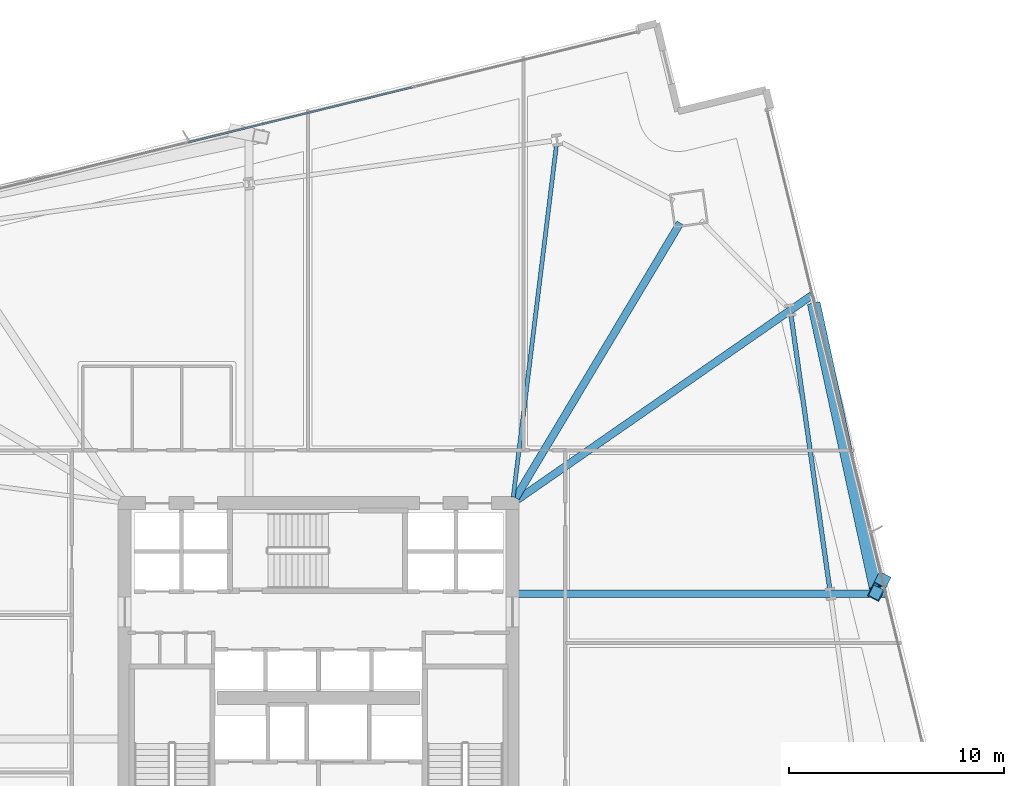
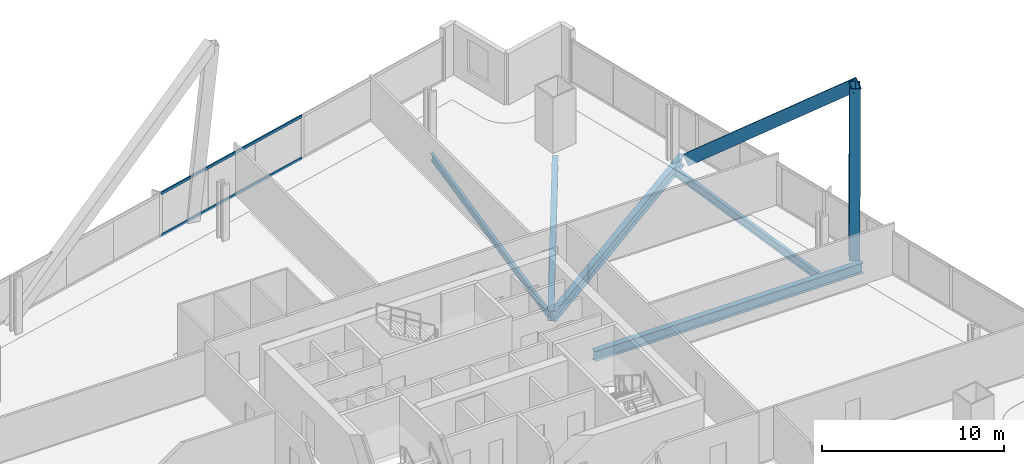
# One storey, part 18 of 32: 5 beams, 4 members, 1 element without a shape of its own.
"""IFC4 building model written with IfcOpenShell, lengths in metres."""

from ifc_helpers import new_model, si_unit, direction, frame, origin, origin_2d, place, context, subcontext, project, spatial, hollow_rectangle, i_section, extrude, material, material_profile, profile_set, type_object, element, aggregate, save


model = new_model("IFC4")

# Units and contexts
model_context = context("Model", 3, precision=1e-05, world=origin(), true_north=direction((0.0, 1.0)))
body_context = subcontext(model_context, "Body", "Model", "MODEL_VIEW")
ifc_project = project(units=[si_unit("LENGTHUNIT", "METRE"), si_unit("AREAUNIT", "SQUARE_METRE"), si_unit("VOLUMEUNIT", "CUBIC_METRE"), si_unit("PLANEANGLEUNIT", "RADIAN"), si_unit("MASSUNIT", "GRAM", prefix="KILO")], contexts=[model_context])

# Site, building, storey
site_placement = place(None, origin())
site = spatial("IfcSite", under=ifc_project, at=site_placement, CompositionType="ELEMENT")
building_placement = place(site_placement, origin())
building = spatial("IfcBuilding", under=site, at=building_placement, Name="Haldenkirk Collegiate Tower", CompositionType="ELEMENT")
storey_placement = place(building_placement, frame((0.0, 0.0, 73.949951171875)))
storey = spatial("IfcBuildingStorey", under=building, at=storey_placement, Name="L17", CompositionType="ELEMENT", Elevation=73.949951171875)

# Beams
ifc_material_1 = material(Name="Steel ASTM A992 Grade 50", Category="steel")
ifc_material_profile_1 = material_profile(ifc_material_1, i_section(OverallWidth=0.35498046875, OverallDepth=0.696044921875, WebThickness=0.015380859375, FlangeThickness=0.02490234375, at=origin_2d()), Name="W27X146")
ifc_profile_set_1 = profile_set([ifc_material_profile_1], Name="Steel ASTM A992 Grade 50")
beam_type_1 = type_object("IfcBeamType", Name="BM-GIRDER-W27X146", PredefinedType="BEAM", material=ifc_profile_set_1)
beam_1_placement = place(storey_placement, frame((52.783935546875, 47.000732421875, -0.657958984375), z_axis=(-0.513696499257, -0.857971973115, 0.0), x_axis=(0.857971973115, -0.513696499257, 0.0)))
element("IfcBeam", 1, at=beam_1_placement, inside=storey, type_object=beam_type_1, Name="L17 primary floor girder 03", PredefinedType="BEAM", context=body_context, shape_type="SweptSolid", body=[
    extrude(i_section(OverallWidth=0.35498046875, OverallDepth=0.696044921875, WebThickness=0.015380859375, FlangeThickness=0.02490234375, at=origin_2d()), origin(), (0.0, 0.0, 1.0), 14.872802734375),
])
beam_2_placement = place(storey_placement, frame((62.284912109375, 29.788818359375, -0.657958984375), z_axis=(-1.0, 0.0, 0.0), x_axis=(0.0, -1.0, 0.0)))
element("IfcBeam", 2, at=beam_2_placement, inside=storey, type_object=beam_type_1, Name="L17 primary floor girder 09", PredefinedType="BEAM", context=body_context, shape_type="SweptSolid", body=[
    extrude(i_section(OverallWidth=0.35498046875, OverallDepth=0.696044921875, WebThickness=0.015380859375, FlangeThickness=0.02490234375, at=origin_2d()), origin(), (0.0, 0.0, 1.0), 17.0048828125),
])
beam_3_placement = place(storey_placement, frame((58.883544921875, 43.63671875, -0.657958984375), z_axis=(-0.821499364875, -0.570209429517, 0.0), x_axis=(0.570209429517, -0.821499364875, 0.0)))
element("IfcBeam", 3, at=beam_3_placement, inside=storey, type_object=beam_type_1, Name="L17 primary floor girder 10", PredefinedType="BEAM", context=body_context, shape_type="SweptSolid", body=[
    extrude(i_section(OverallWidth=0.35498046875, OverallDepth=0.696044921875, WebThickness=0.015380859375, FlangeThickness=0.02490234375, at=origin_2d()), origin(), (0.0, 0.0, 1.0), 16.620361328125),
])
ifc_material_profile_2 = material_profile(ifc_material_1, i_section(OverallWidth=0.19189453125, OverallDepth=0.462890625, WebThickness=0.010498046875, FlangeThickness=0.017578125, at=origin_2d()), Name="W18X60")
ifc_profile_set_2 = profile_set([ifc_material_profile_2], Name="Steel ASTM A992 Grade 50")
beam_type_2 = type_object("IfcBeamType", Name="BM-JOIST-W18X60", PredefinedType="JOIST", material=ifc_profile_set_2)
beam_4_placement = place(storey_placement, frame((47.03369140625, 50.581787109375, -0.54150390625), z_axis=(-0.121727667568, -0.992563536983, 0.0), x_axis=(0.992563536983, -0.121727667568, 0.0)))
element("IfcBeam", 4, at=beam_4_placement, inside=storey, type_object=beam_type_2, Name="L17 composite floor joist 11", PredefinedType="JOIST", context=body_context, shape_type="SweptSolid", body=[
    extrude(i_section(OverallWidth=0.19189453125, OverallDepth=0.462890625, WebThickness=0.010498046875, FlangeThickness=0.017578125, at=origin_2d()), origin(), (0.0, 0.0, 1.0), 16.426025390625),
])
ifc_material_profile_3 = material_profile(ifc_material_1, i_section(OverallWidth=0.2119140625, OverallDepth=0.5439453125, WebThickness=0.01318359375, FlangeThickness=0.021240234375, at=origin_2d()), Name="W21X83")
ifc_profile_set_3 = profile_set([ifc_material_profile_3], Name="Steel ASTM A992 Grade 50")
beam_type_3 = type_object("IfcBeamType", Name="BM-SPANDREL-W21X83", PredefinedType="SPANDREL", material=ifc_profile_set_3)
beam_5_placement = place(storey_placement, frame((59.716552734375, 30.050537109375, -0.58203125), z_axis=(-0.140052642207, 0.990144058918, 0.0), x_axis=(-0.990144058918, -0.140052642207, 0.0)))
element("IfcBeam", 5, at=beam_5_placement, inside=storey, type_object=beam_type_3, Name="L17 perimeter spandrel beam 07", PredefinedType="SPANDREL", context=body_context, shape_type="SweptSolid", body=[
    extrude(i_section(OverallWidth=0.2119140625, OverallDepth=0.5439453125, WebThickness=0.01318359375, FlangeThickness=0.021240234375, at=origin_2d()), origin(), (0.0, 0.0, 1.0), 12.761962890625),
])

# Curtain wall, members
ifc_material_2 = material(Name="Anodised architectural bronze aluminium", Category="aluminium")
curtain_wall_type = type_object("IfcCurtainWallType", Name="CW-SYS1-CONVEX-LOW", PredefinedType="USERDEFINED", material=ifc_material_2)
curtain_wall_placement = place(storey_placement, origin())
curtain_wall = element("IfcCurtainWall", 6, at=curtain_wall_placement, inside=storey, type_object=curtain_wall_type, Name="L17 Lower tower convex bronze-framed unitised curtain wall", ObjectType="UNITISED CURTAIN WALL", PredefinedType="USERDEFINED")
ifc_material_profile_4 = material_profile(ifc_material_2, hollow_rectangle(XDim=0.080078125, YDim=0.179931640625, WallThickness=0.0048828125, at=origin_2d()), Name="CW-TRN-1A")
ifc_profile_set_4 = profile_set([ifc_material_profile_4], Name="Anodised architectural bronze aluminium")
member_type_1 = type_object("IfcMemberType", Name="CW-TRN-1A", PredefinedType="USERDEFINED", material=ifc_profile_set_4)
member_1_placement = place(storey_placement, frame((29.96337890625, 50.744384765625, 0.0400390625), z_axis=(0.971135958422, 0.238526623797, 0.0), x_axis=(-0.238526623797, 0.971135958422, 0.0)))
member_1 = element("IfcMember", 7, at=member_1_placement, type_object=member_type_1, Name="CW-1A transom 3.1", ObjectType="TRANSOM", PredefinedType="USERDEFINED", context=body_context, shape_type="SweptSolid", body=[
    extrude(hollow_rectangle(XDim=0.080078125, YDim=0.179931640625, WallThickness=0.0048828125, at=origin_2d()), origin(), (0.0, 0.0, 1.0), 10.69482421875),
])
member_2_placement = place(storey_placement, frame((29.96337890625, 50.744384765625, 2.85107421875), z_axis=(0.971135958422, 0.238526623797, 0.0), x_axis=(-0.238526623797, 0.971135958422, 0.0)))
member_2 = element("IfcMember", 8, at=member_2_placement, type_object=member_type_1, Name="CW-1A transom 3.2", ObjectType="TRANSOM", PredefinedType="USERDEFINED", context=body_context, shape_type="SweptSolid", body=[
    extrude(hollow_rectangle(XDim=0.080078125, YDim=0.179931640625, WallThickness=0.0048828125, at=origin_2d()), origin(), (0.0, 0.0, 1.0), 10.69482421875),
])
aggregate(curtain_wall, [member_1, member_2])

# Members
ifc_material_3 = material(Name="Steel ASTM A572 Grade 50", Category="steel")
ifc_material_profile_5 = material_profile(ifc_material_3, hollow_rectangle(XDim=0.60009765625, YDim=0.719970703125, WallThickness=0.044921875, at=origin_2d()), Name="BOX720X600X45")
ifc_profile_set_5 = profile_set([ifc_material_profile_5], Name="Steel ASTM A572 Grade 50")
member_type_2 = type_object("IfcMemberType", Name="MBR-MEGABRACE-BOX720X600X45", PredefinedType="BRACE", material=ifc_profile_set_5)
member_3_placement = place(storey_placement, frame((62.141845703125, 30.371337890625, -0.320068359375), z_axis=(-0.020862931989, -0.041008572604, 0.998940956735), x_axis=(0.891287505293, -0.453438620884, 0.0)))
element("IfcMember", 9, at=member_3_placement, inside=storey, type_object=member_type_2, Name="Perimeter Mega Brace Z1 L17-L19 EL", PredefinedType="BRACE", context=body_context, shape_type="SweptSolid", body=[
    extrude(hollow_rectangle(XDim=0.60009765625, YDim=0.719970703125, WallThickness=0.044921875, at=origin_2d()), origin(), (0.0, 0.0, 1.0), 11.912841796875),
])
member_4_placement = place(storey_placement, frame((59.026611328125, 43.05419921875, -0.320068359375), z_axis=(0.15942922657, -0.732516332266, 0.661817304608), x_axis=(0.977124680809, 0.212667247489, 0.0)))
element("IfcMember", 10, at=member_4_placement, inside=storey, type_object=member_type_2, Name="Perimeter Mega Brace Z1 L17-L19 ER", PredefinedType="BRACE", context=body_context, shape_type="SweptSolid", body=[
    extrude(hollow_rectangle(XDim=0.60009765625, YDim=0.719970703125, WallThickness=0.044921875, at=origin_2d()), origin(), (0.0, 0.0, 1.0), 17.98095703125),
])

save(model, "model.ifc")
